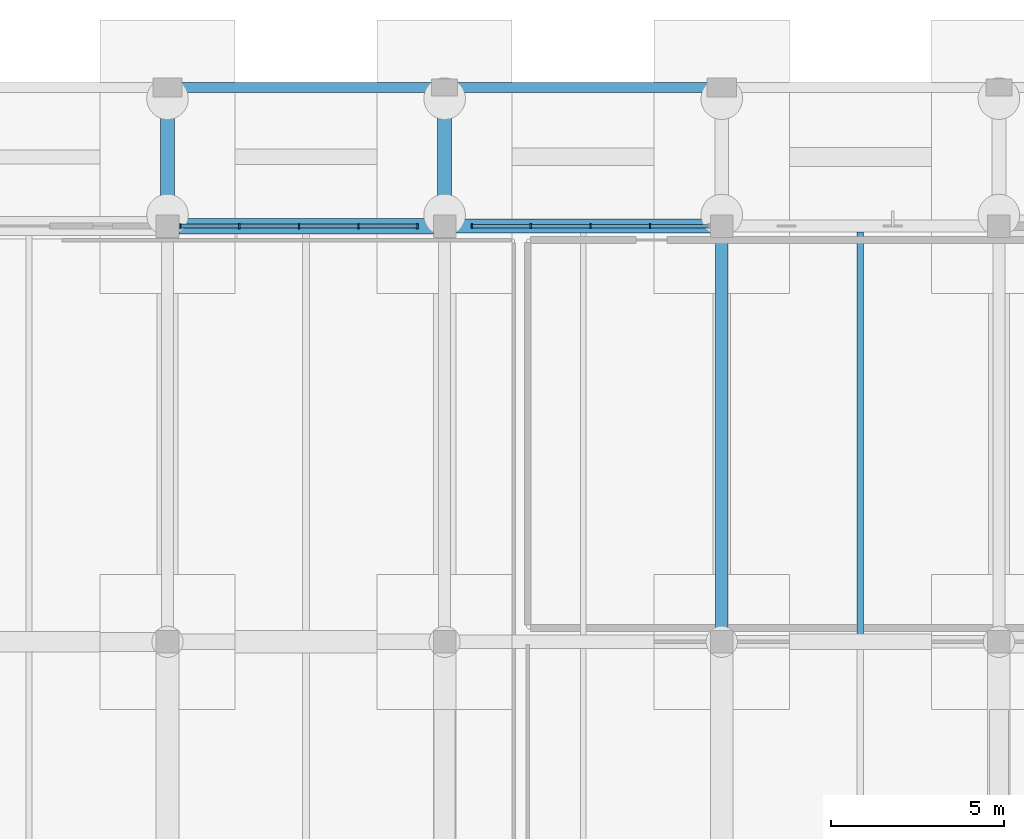
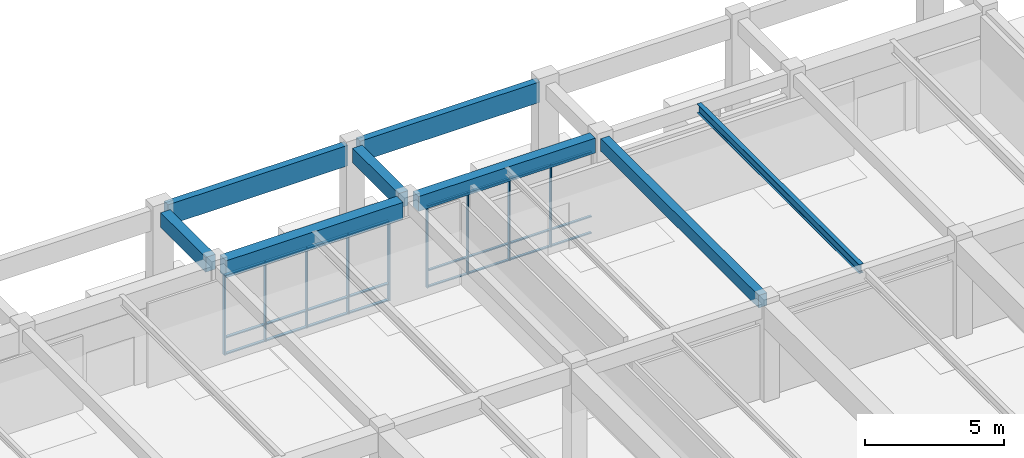
# One storey, part 33 of 84: 33 members, 8 beams, 2 elements without a shape of their own.
"""IFC4 building model written with IfcOpenShell, lengths in metres."""

from ifc_helpers import new_model, si_unit, direction, frame, origin, origin_2d, place, context, subcontext, project, spatial, rectangle, i_section, extrude, material, material_profile, profile_set, type_object, element, aggregate, save


model = new_model("IFC4")

# Units and contexts
model_context = context("Model", 3, precision=1e-05, world=origin(), true_north=direction((0.0, 1.0)))
body_context = subcontext(model_context, "Body", "Model", "MODEL_VIEW")
ifc_project = project(units=[si_unit("LENGTHUNIT", "METRE"), si_unit("AREAUNIT", "SQUARE_METRE"), si_unit("VOLUMEUNIT", "CUBIC_METRE"), si_unit("PLANEANGLEUNIT", "RADIAN"), si_unit("MASSUNIT", "GRAM", prefix="KILO")], contexts=[model_context])

# Site, building, storey
site_placement = place(None, origin())
site = spatial("IfcSite", under=ifc_project, at=site_placement, CompositionType="ELEMENT")
building_placement = place(site_placement, origin())
building = spatial("IfcBuilding", under=site, at=building_placement, Name="Larkveld Mobility Hub", CompositionType="ELEMENT")
storey_placement = place(building_placement, origin())
storey = spatial("IfcBuildingStorey", under=building, at=storey_placement, Name="L00", CompositionType="ELEMENT", Elevation=0.0)

# Beams
ifc_material_1 = material(Name="Concrete C40/50", Category="concrete")
ifc_material_profile_1 = material_profile(ifc_material_1, rectangle(XDim=0.35009765625, YDim=0.550048828125, at=origin_2d()), Name="RC BM 350x550")
ifc_profile_set_1 = profile_set([ifc_material_profile_1], Name="Concrete C40/50")
beam_type_1 = type_object("IfcBeamType", Name="BM-RC3555", PredefinedType="BEAM", material=ifc_profile_set_1)
beam_1_placement = place(storey_placement, frame((80.0, 110.324951171875, 3.985107421875), z_axis=(0.0, 1.0, 0.0), x_axis=(-1.0, 0.0, 0.0)))
element("IfcBeam", 1, at=beam_1_placement, inside=storey, type_object=beam_type_1, Name="Primary N-S Girder L00-0145", PredefinedType="BEAM", context=body_context, shape_type="SweptSolid", body=[
    extrude(rectangle(XDim=0.35009765625, YDim=0.550048828125, at=origin_2d()), origin(), (0.0, 0.0, 1.0), 11.35009765625),
])
ifc_material_profile_2 = material_profile(ifc_material_1, rectangle(XDim=0.39990234375, YDim=0.64990234375, at=origin_2d()), Name="RC BM 400x650")
ifc_profile_set_2 = profile_set([ifc_material_profile_2], Name="Concrete C40/50")
beam_type_2 = type_object("IfcBeamType", Name="BM-RC4065", PredefinedType="BEAM", material=ifc_profile_set_2)
beam_2_placement = place(storey_placement, frame((72.324951171875, 122.0, 3.93505859375), z_axis=(1.0, 0.0, 0.0), x_axis=(0.0, 1.0, 0.0)))
element("IfcBeam", 2, at=beam_2_placement, inside=storey, type_object=beam_type_2, Name="Primary E-W Girder L00-0093", PredefinedType="BEAM", context=body_context, shape_type="SweptSolid", body=[
    extrude(rectangle(XDim=0.39990234375, YDim=0.64990234375, at=origin_2d()), origin(), (0.0, 0.0, 1.0), 7.35009765625),
])
beam_3_placement = place(storey_placement, frame((64.0, 122.324951171875, 3.93505859375), z_axis=(0.0, 1.0, 0.0), x_axis=(-1.0, 0.0, 0.0)))
element("IfcBeam", 3, at=beam_3_placement, inside=storey, type_object=beam_type_2, Name="Primary N-S Girder L00-0140", PredefinedType="BEAM", context=body_context, shape_type="SweptSolid", body=[
    extrude(rectangle(XDim=0.39990234375, YDim=0.64990234375, at=origin_2d()), origin(), (0.0, 0.0, 1.0), 3.25),
])
beam_4_placement = place(storey_placement, frame((72.0, 122.324951171875, 3.93505859375), z_axis=(0.0, 1.0, 0.0), x_axis=(-1.0, 0.0, 0.0)))
element("IfcBeam", 4, at=beam_4_placement, inside=storey, type_object=beam_type_2, Name="Primary N-S Girder L00-0143", PredefinedType="BEAM", context=body_context, shape_type="SweptSolid", body=[
    extrude(rectangle(XDim=0.39990234375, YDim=0.64990234375, at=origin_2d()), origin(), (0.0, 0.0, 1.0), 3.300048828125),
])
ifc_material_profile_3 = material_profile(ifc_material_1, rectangle(XDim=0.449951171875, YDim=0.75, at=origin_2d()), Name="RC BM 450x750")
ifc_profile_set_3 = profile_set([ifc_material_profile_3], Name="Concrete C40/50")
beam_type_3 = type_object("IfcBeamType", Name="BM-RC4575", PredefinedType="BEAM", material=ifc_profile_set_3)
beam_5_placement = place(storey_placement, frame((64.324951171875, 122.0, 3.885009765625), z_axis=(1.0, 0.0, 0.0), x_axis=(0.0, 1.0, 0.0)))
element("IfcBeam", 5, at=beam_5_placement, inside=storey, type_object=beam_type_3, Name="Primary E-W Girder L00-0092", PredefinedType="BEAM", context=body_context, shape_type="SweptSolid", body=[
    extrude(rectangle(XDim=0.449951171875, YDim=0.75, at=origin_2d()), origin(), (0.0, 0.0, 1.0), 7.35009765625),
])
ifc_material_2 = material(Name="Precast concrete C50/60", Category="concrete")
ifc_material_profile_4 = material_profile(ifc_material_2, rectangle(XDim=0.280029296875, YDim=0.89990234375, at=origin_2d()), Name="PC SP 280x900")
ifc_profile_set_4 = profile_set([ifc_material_profile_4], Name="Precast concrete C50/60")
beam_type_4 = type_object("IfcBeamType", Name="BM-SP2890", PredefinedType="SPANDREL", material=ifc_profile_set_4)
for number, where, z_axis, x_axis, name in (
    (6, (64.27490234375, 126.0, 3.81005859375), (1.0, 0.0, 0.0), (0.0, 1.0, 0.0), "Primary E-W Girder L00-0104"),
    (7, (72.25, 126.0, 3.81005859375), (1.0, 0.0, 0.0), (0.0, 1.0, 0.0), "Primary E-W Girder L00-0105"),
):
    element("IfcBeam", number, at=place(storey_placement, frame(where, z_axis=z_axis, x_axis=x_axis)), inside=storey, type_object=beam_type_4, Name=name, PredefinedType="SPANDREL", context=body_context, shape_type="SweptSolid", body=[
        extrude(rectangle(XDim=0.280029296875, YDim=0.89990234375, at=origin_2d()), origin(), (0.0, 0.0, 1.0), 7.47509765625),
    ])
ifc_material_3 = material(Name="Steel S355JR", Category="steel")
ifc_material_profile_5 = material_profile(ifc_material_3, i_section(OverallWidth=0.179931640625, OverallDepth=0.39990234375, WebThickness=0.008544921875, FlangeThickness=0.013427734375, FilletRadius=0.02099609375, at=origin_2d()), Name="IPE 400")
ifc_profile_set_5 = profile_set([ifc_material_profile_5], Name="Steel S355JR")
beam_type_5 = type_object("IfcBeamType", Name="BM-STIPE400", PredefinedType="BEAM", material=ifc_profile_set_5)
beam_6_placement = place(storey_placement, frame((84.0, 110.169921875, 4.070068359375), z_axis=(0.0, 1.0, 0.0), x_axis=(-1.0, 0.0, 0.0)))
element("IfcBeam", 8, at=beam_6_placement, inside=storey, type_object=beam_type_5, Name="Bicycle Hall Secondary Beam L00-1179", PredefinedType="BEAM", context=body_context, shape_type="SweptSolid", body=[
    extrude(i_section(OverallWidth=0.179931640625, OverallDepth=0.39990234375, WebThickness=0.008544921875, FlangeThickness=0.013427734375, FilletRadius=0.02099609375, at=origin_2d()), origin(), (0.0, 0.0, 1.0), 11.66015625),
])

# Curtain wall, members
ifc_material_4 = material(Name="Anodised aluminium 6063-T6", Category="aluminium")
curtain_wall_type_1 = type_object("IfcCurtainWallType", Name="CW-SYS-01", PredefinedType="NOTDEFINED", material=ifc_material_4)
curtain_wall_1_placement = place(storey_placement, origin())
curtain_wall_1 = element("IfcCurtainWall", 9, at=curtain_wall_1_placement, inside=storey, type_object=curtain_wall_type_1, Name="Bicycle Hall North Curtain Wall L00 CW-073", PredefinedType="NOTDEFINED")
ifc_material_profile_6 = material_profile(ifc_material_4, rectangle(XDim=0.050048828125, YDim=0.14990234375, at=origin_2d()), Name="ALU MULL 50x150")
ifc_profile_set_6 = profile_set([ifc_material_profile_6], Name="Anodised aluminium 6063-T6")
member_type_1 = type_object("IfcMemberType", Name="CW-MUL-01", PredefinedType="MULLION", material=ifc_profile_set_6)
member_1_placement = place(storey_placement, frame((71.2099609375, 122.0, -0.001953125), z_axis=(0.0, 0.0, 1.0), x_axis=(-1.0, 0.0, 0.0)))
member_1 = element("IfcMember", 10, at=member_1_placement, type_object=member_type_1, Name="CW01 mullion 1", PredefinedType="MULLION", context=body_context, shape_type="SweptSolid", body=[
    extrude(rectangle(XDim=0.050048828125, YDim=0.14990234375, at=origin_2d()), origin(), (0.0, 0.0, 1.0), 3.511962890625),
])
member_2_placement = place(storey_placement, frame((69.513916015625, 122.0, -0.001953125), z_axis=(0.0, 0.0, 1.0), x_axis=(-1.0, 0.0, 0.0)))
member_2 = element("IfcMember", 11, at=member_2_placement, type_object=member_type_1, Name="CW01 mullion 2", PredefinedType="MULLION", context=body_context, shape_type="SweptSolid", body=[
    extrude(rectangle(XDim=0.050048828125, YDim=0.14990234375, at=origin_2d()), origin(), (0.0, 0.0, 1.0), 3.511962890625),
])
member_3_placement = place(storey_placement, frame((67.79296875, 122.0, -0.001953125), z_axis=(0.0, 0.0, 1.0), x_axis=(-1.0, 0.0, 0.0)))
member_3 = element("IfcMember", 12, at=member_3_placement, type_object=member_type_1, Name="CW01 mullion 3", PredefinedType="MULLION", context=body_context, shape_type="SweptSolid", body=[
    extrude(rectangle(XDim=0.050048828125, YDim=0.14990234375, at=origin_2d()), origin(), (0.0, 0.0, 1.0), 3.511962890625),
])
member_4_placement = place(storey_placement, frame((66.071044921875, 122.0, -0.001953125), z_axis=(0.0, 0.0, 1.0), x_axis=(-1.0, 0.0, 0.0)))
member_4 = element("IfcMember", 13, at=member_4_placement, type_object=member_type_1, Name="CW01 mullion 4", PredefinedType="MULLION", context=body_context, shape_type="SweptSolid", body=[
    extrude(rectangle(XDim=0.050048828125, YDim=0.14990234375, at=origin_2d()), origin(), (0.0, 0.0, 1.0), 3.511962890625),
])
member_5_placement = place(storey_placement, frame((64.375, 122.0, -0.001953125), z_axis=(0.0, 0.0, 1.0), x_axis=(-1.0, 0.0, 0.0)))
member_5 = element("IfcMember", 14, at=member_5_placement, type_object=member_type_1, Name="CW01 mullion 5", PredefinedType="MULLION", context=body_context, shape_type="SweptSolid", body=[
    extrude(rectangle(XDim=0.050048828125, YDim=0.14990234375, at=origin_2d()), origin(), (0.0, 0.0, 1.0), 3.511962890625),
])

curtain_wall_type_2 = type_object("IfcCurtainWallType", Name="CW-SYS-12", PredefinedType="NOTDEFINED", material=ifc_material_4)
curtain_wall_2_placement = place(storey_placement, origin())
curtain_wall_2 = element("IfcCurtainWall", 15, at=curtain_wall_2_placement, inside=storey, type_object=curtain_wall_type_2, Name="Bicycle Hall North Curtain Wall L00 CW-072", PredefinedType="NOTDEFINED")
ifc_material_profile_7 = material_profile(ifc_material_4, rectangle(XDim=0.050048828125, YDim=0.1298828125, at=origin_2d()), Name="ALU MULL 50x130")
ifc_profile_set_7 = profile_set([ifc_material_profile_7], Name="Anodised aluminium 6063-T6")
member_type_2 = type_object("IfcMemberType", Name="CW-MUL-04", PredefinedType="MULLION", material=ifc_profile_set_7)
member_6_placement = place(storey_placement, frame((77.928955078125, 122.0, -0.001953125), z_axis=(0.0, 0.0, 1.0), x_axis=(-1.0, 0.0, 0.0)))
member_6 = element("IfcMember", 16, at=member_6_placement, type_object=member_type_2, Name="CW12 mullion 2", PredefinedType="MULLION", context=body_context, shape_type="SweptSolid", body=[
    extrude(rectangle(XDim=0.050048828125, YDim=0.1298828125, at=origin_2d()), origin(), (0.0, 0.0, 1.0), 3.612060546875),
])
member_7_placement = place(storey_placement, frame((76.2080078125, 122.0, -0.001953125), z_axis=(0.0, 0.0, 1.0), x_axis=(-1.0, 0.0, 0.0)))
member_7 = element("IfcMember", 17, at=member_7_placement, type_object=member_type_2, Name="CW12 mullion 3", PredefinedType="MULLION", context=body_context, shape_type="SweptSolid", body=[
    extrude(rectangle(XDim=0.050048828125, YDim=0.1298828125, at=origin_2d()), origin(), (0.0, 0.0, 1.0), 3.612060546875),
])
member_8_placement = place(storey_placement, frame((74.486083984375, 122.0, -0.001953125), z_axis=(0.0, 0.0, 1.0), x_axis=(-1.0, 0.0, 0.0)))
member_8 = element("IfcMember", 18, at=member_8_placement, type_object=member_type_2, Name="CW12 mullion 4", PredefinedType="MULLION", context=body_context, shape_type="SweptSolid", body=[
    extrude(rectangle(XDim=0.050048828125, YDim=0.1298828125, at=origin_2d()), origin(), (0.0, 0.0, 1.0), 3.612060546875),
])
member_9_placement = place(storey_placement, frame((72.7900390625, 122.0, -0.001953125), z_axis=(0.0, 0.0, 1.0), x_axis=(-1.0, 0.0, 0.0)))
member_9 = element("IfcMember", 19, at=member_9_placement, type_object=member_type_2, Name="CW12 mullion 5", PredefinedType="MULLION", context=body_context, shape_type="SweptSolid", body=[
    extrude(rectangle(XDim=0.050048828125, YDim=0.1298828125, at=origin_2d()), origin(), (0.0, 0.0, 1.0), 3.612060546875),
])

# Member
ifc_material_profile_8 = material_profile(ifc_material_4, rectangle(XDim=0.1201171875, YDim=0.050048828125, at=origin_2d()), Name="ALU TRAN 50x120")
ifc_profile_set_8 = profile_set([ifc_material_profile_8], Name="Anodised aluminium 6063-T6")
member_type_3 = type_object("IfcMemberType", Name="CW-TRN-01", PredefinedType="USERDEFINED", material=ifc_profile_set_8)
member_10_placement = place(storey_placement, frame((71.199951171875, 122.0, 0.030029296875), z_axis=(-1.0, 0.0, 0.0), x_axis=(0.0, -1.0, 0.0)))
member_10 = element("IfcMember", 20, at=member_10_placement, type_object=member_type_3, Name="CW01 transom 1.1", ObjectType="TRANSOM", PredefinedType="USERDEFINED", context=body_context, shape_type="SweptSolid", body=[
    extrude(rectangle(XDim=0.1201171875, YDim=0.050048828125, at=origin_2d()), origin(), (0.0, 0.0, 1.0), 1.6708984375),
])

member_11_placement = place(storey_placement, frame((71.199951171875, 122.0, 0.75), z_axis=(-1.0, 0.0, 0.0), x_axis=(0.0, -1.0, 0.0)))
member_11 = element("IfcMember", 21, at=member_11_placement, type_object=member_type_3, Name="CW01 transom 1.2", ObjectType="TRANSOM", PredefinedType="USERDEFINED", context=body_context, shape_type="SweptSolid", body=[
    extrude(rectangle(XDim=0.1201171875, YDim=0.050048828125, at=origin_2d()), origin(), (0.0, 0.0, 1.0), 1.6708984375),
])

member_12_placement = place(storey_placement, frame((71.199951171875, 122.0, 3.47802734375), z_axis=(-1.0, 0.0, 0.0), x_axis=(0.0, -1.0, 0.0)))
member_12 = element("IfcMember", 22, at=member_12_placement, type_object=member_type_3, Name="CW01 transom 1.3", ObjectType="TRANSOM", PredefinedType="USERDEFINED", context=body_context, shape_type="SweptSolid", body=[
    extrude(rectangle(XDim=0.1201171875, YDim=0.050048828125, at=origin_2d()), origin(), (0.0, 0.0, 1.0), 1.6708984375),
])

member_13_placement = place(storey_placement, frame((69.4990234375, 122.0, 0.030029296875), z_axis=(-1.0, 0.0, 0.0), x_axis=(0.0, -1.0, 0.0)))
member_13 = element("IfcMember", 23, at=member_13_placement, type_object=member_type_3, Name="CW01 transom 2.1", ObjectType="TRANSOM", PredefinedType="USERDEFINED", context=body_context, shape_type="SweptSolid", body=[
    extrude(rectangle(XDim=0.1201171875, YDim=0.050048828125, at=origin_2d()), origin(), (0.0, 0.0, 1.0), 1.69091796875),
])

member_14_placement = place(storey_placement, frame((69.4990234375, 122.0, 0.75), z_axis=(-1.0, 0.0, 0.0), x_axis=(0.0, -1.0, 0.0)))
member_14 = element("IfcMember", 24, at=member_14_placement, type_object=member_type_3, Name="CW01 transom 2.2", ObjectType="TRANSOM", PredefinedType="USERDEFINED", context=body_context, shape_type="SweptSolid", body=[
    extrude(rectangle(XDim=0.1201171875, YDim=0.050048828125, at=origin_2d()), origin(), (0.0, 0.0, 1.0), 1.69091796875),
])

member_15_placement = place(storey_placement, frame((69.4990234375, 122.0, 3.47802734375), z_axis=(-1.0, 0.0, 0.0), x_axis=(0.0, -1.0, 0.0)))
member_15 = element("IfcMember", 25, at=member_15_placement, type_object=member_type_3, Name="CW01 transom 2.3", ObjectType="TRANSOM", PredefinedType="USERDEFINED", context=body_context, shape_type="SweptSolid", body=[
    extrude(rectangle(XDim=0.1201171875, YDim=0.050048828125, at=origin_2d()), origin(), (0.0, 0.0, 1.0), 1.69091796875),
])

member_16_placement = place(storey_placement, frame((67.778076171875, 122.0, 0.030029296875), z_axis=(-1.0, 0.0, 0.0), x_axis=(0.0, -1.0, 0.0)))
member_16 = element("IfcMember", 26, at=member_16_placement, type_object=member_type_3, Name="CW01 transom 3.1", ObjectType="TRANSOM", PredefinedType="USERDEFINED", context=body_context, shape_type="SweptSolid", body=[
    extrude(rectangle(XDim=0.1201171875, YDim=0.050048828125, at=origin_2d()), origin(), (0.0, 0.0, 1.0), 1.692138671875),
])

member_17_placement = place(storey_placement, frame((67.778076171875, 122.0, 0.75), z_axis=(-1.0, 0.0, 0.0), x_axis=(0.0, -1.0, 0.0)))
member_17 = element("IfcMember", 27, at=member_17_placement, type_object=member_type_3, Name="CW01 transom 3.2", ObjectType="TRANSOM", PredefinedType="USERDEFINED", context=body_context, shape_type="SweptSolid", body=[
    extrude(rectangle(XDim=0.1201171875, YDim=0.050048828125, at=origin_2d()), origin(), (0.0, 0.0, 1.0), 1.692138671875),
])

member_18_placement = place(storey_placement, frame((67.778076171875, 122.0, 3.47802734375), z_axis=(-1.0, 0.0, 0.0), x_axis=(0.0, -1.0, 0.0)))
member_18 = element("IfcMember", 28, at=member_18_placement, type_object=member_type_3, Name="CW01 transom 3.3", ObjectType="TRANSOM", PredefinedType="USERDEFINED", context=body_context, shape_type="SweptSolid", body=[
    extrude(rectangle(XDim=0.1201171875, YDim=0.050048828125, at=origin_2d()), origin(), (0.0, 0.0, 1.0), 1.692138671875),
])

member_19_placement = place(storey_placement, frame((66.055908203125, 122.0, 0.030029296875), z_axis=(-1.0, 0.0, 0.0), x_axis=(0.0, -1.0, 0.0)))
member_19 = element("IfcMember", 29, at=member_19_placement, type_object=member_type_3, Name="CW01 transom 4.1", ObjectType="TRANSOM", PredefinedType="USERDEFINED", context=body_context, shape_type="SweptSolid", body=[
    extrude(rectangle(XDim=0.1201171875, YDim=0.050048828125, at=origin_2d()), origin(), (0.0, 0.0, 1.0), 1.6708984375),
])

member_20_placement = place(storey_placement, frame((66.055908203125, 122.0, 0.75), z_axis=(-1.0, 0.0, 0.0), x_axis=(0.0, -1.0, 0.0)))
member_20 = element("IfcMember", 30, at=member_20_placement, type_object=member_type_3, Name="CW01 transom 4.2", ObjectType="TRANSOM", PredefinedType="USERDEFINED", context=body_context, shape_type="SweptSolid", body=[
    extrude(rectangle(XDim=0.1201171875, YDim=0.050048828125, at=origin_2d()), origin(), (0.0, 0.0, 1.0), 1.6708984375),
])

member_21_placement = place(storey_placement, frame((66.055908203125, 122.0, 3.47802734375), z_axis=(-1.0, 0.0, 0.0), x_axis=(0.0, -1.0, 0.0)))
member_21 = element("IfcMember", 31, at=member_21_placement, type_object=member_type_3, Name="CW01 transom 4.3", ObjectType="TRANSOM", PredefinedType="USERDEFINED", context=body_context, shape_type="SweptSolid", body=[
    extrude(rectangle(XDim=0.1201171875, YDim=0.050048828125, at=origin_2d()), origin(), (0.0, 0.0, 1.0), 1.6708984375),
])

aggregate(curtain_wall_1, [member_1, member_2, member_3, member_4, member_5, member_10, member_11, member_12, member_13, member_14, member_15, member_16, member_17, member_18, member_19, member_20, member_21])

ifc_material_profile_9 = material_profile(ifc_material_4, rectangle(XDim=0.10009765625, YDim=0.050048828125, at=origin_2d()), Name="ALU TRAN 50x100")
ifc_profile_set_9 = profile_set([ifc_material_profile_9], Name="Anodised aluminium 6063-T6")
member_type_4 = type_object("IfcMemberType", Name="CW-TRN-04", PredefinedType="USERDEFINED", material=ifc_profile_set_9)
member_22_placement = place(storey_placement, frame((79.614990234375, 122.0, 0.030029296875), z_axis=(-1.0, 0.0, 0.0), x_axis=(0.0, -1.0, 0.0)))
member_22 = element("IfcMember", 32, at=member_22_placement, type_object=member_type_4, Name="CW12 transom 1.1", ObjectType="TRANSOM", PredefinedType="USERDEFINED", context=body_context, shape_type="SweptSolid", body=[
    extrude(rectangle(XDim=0.10009765625, YDim=0.050048828125, at=origin_2d()), origin(), (0.0, 0.0, 1.0), 1.6708984375),
])

member_23_placement = place(storey_placement, frame((79.614990234375, 122.0, 0.75), z_axis=(-1.0, 0.0, 0.0), x_axis=(0.0, -1.0, 0.0)))
member_23 = element("IfcMember", 33, at=member_23_placement, type_object=member_type_4, Name="CW12 transom 1.2", ObjectType="TRANSOM", PredefinedType="USERDEFINED", context=body_context, shape_type="SweptSolid", body=[
    extrude(rectangle(XDim=0.10009765625, YDim=0.050048828125, at=origin_2d()), origin(), (0.0, 0.0, 1.0), 1.6708984375),
])

member_24_placement = place(storey_placement, frame((79.614990234375, 122.0, 3.577880859375), z_axis=(-1.0, 0.0, 0.0), x_axis=(0.0, -1.0, 0.0)))
member_24 = element("IfcMember", 34, at=member_24_placement, type_object=member_type_4, Name="CW12 transom 1.3", ObjectType="TRANSOM", PredefinedType="USERDEFINED", context=body_context, shape_type="SweptSolid", body=[
    extrude(rectangle(XDim=0.10009765625, YDim=0.050048828125, at=origin_2d()), origin(), (0.0, 0.0, 1.0), 1.6708984375),
])

member_25_placement = place(storey_placement, frame((77.9140625, 122.0, 0.030029296875), z_axis=(-1.0, 0.0, 0.0), x_axis=(0.0, -1.0, 0.0)))
member_25 = element("IfcMember", 35, at=member_25_placement, type_object=member_type_4, Name="CW12 transom 2.1", ObjectType="TRANSOM", PredefinedType="USERDEFINED", context=body_context, shape_type="SweptSolid", body=[
    extrude(rectangle(XDim=0.10009765625, YDim=0.050048828125, at=origin_2d()), origin(), (0.0, 0.0, 1.0), 1.691162109375),
])

member_26_placement = place(storey_placement, frame((77.9140625, 122.0, 0.75), z_axis=(-1.0, 0.0, 0.0), x_axis=(0.0, -1.0, 0.0)))
member_26 = element("IfcMember", 36, at=member_26_placement, type_object=member_type_4, Name="CW12 transom 2.2", ObjectType="TRANSOM", PredefinedType="USERDEFINED", context=body_context, shape_type="SweptSolid", body=[
    extrude(rectangle(XDim=0.10009765625, YDim=0.050048828125, at=origin_2d()), origin(), (0.0, 0.0, 1.0), 1.691162109375),
])

member_27_placement = place(storey_placement, frame((77.9140625, 122.0, 3.577880859375), z_axis=(-1.0, 0.0, 0.0), x_axis=(0.0, -1.0, 0.0)))
member_27 = element("IfcMember", 37, at=member_27_placement, type_object=member_type_4, Name="CW12 transom 2.3", ObjectType="TRANSOM", PredefinedType="USERDEFINED", context=body_context, shape_type="SweptSolid", body=[
    extrude(rectangle(XDim=0.10009765625, YDim=0.050048828125, at=origin_2d()), origin(), (0.0, 0.0, 1.0), 1.691162109375),
])

member_28_placement = place(storey_placement, frame((76.193115234375, 122.0, 0.030029296875), z_axis=(-1.0, 0.0, 0.0), x_axis=(0.0, -1.0, 0.0)))
member_28 = element("IfcMember", 38, at=member_28_placement, type_object=member_type_4, Name="CW12 transom 3.1", ObjectType="TRANSOM", PredefinedType="USERDEFINED", context=body_context, shape_type="SweptSolid", body=[
    extrude(rectangle(XDim=0.10009765625, YDim=0.050048828125, at=origin_2d()), origin(), (0.0, 0.0, 1.0), 1.692138671875),
])

member_29_placement = place(storey_placement, frame((76.193115234375, 122.0, 0.75), z_axis=(-1.0, 0.0, 0.0), x_axis=(0.0, -1.0, 0.0)))
member_29 = element("IfcMember", 39, at=member_29_placement, type_object=member_type_4, Name="CW12 transom 3.2", ObjectType="TRANSOM", PredefinedType="USERDEFINED", context=body_context, shape_type="SweptSolid", body=[
    extrude(rectangle(XDim=0.10009765625, YDim=0.050048828125, at=origin_2d()), origin(), (0.0, 0.0, 1.0), 1.692138671875),
])

member_30_placement = place(storey_placement, frame((76.193115234375, 122.0, 3.577880859375), z_axis=(-1.0, 0.0, 0.0), x_axis=(0.0, -1.0, 0.0)))
member_30 = element("IfcMember", 40, at=member_30_placement, type_object=member_type_4, Name="CW12 transom 3.3", ObjectType="TRANSOM", PredefinedType="USERDEFINED", context=body_context, shape_type="SweptSolid", body=[
    extrude(rectangle(XDim=0.10009765625, YDim=0.050048828125, at=origin_2d()), origin(), (0.0, 0.0, 1.0), 1.692138671875),
])

member_31_placement = place(storey_placement, frame((74.470947265625, 122.0, 0.030029296875), z_axis=(-1.0, 0.0, 0.0), x_axis=(0.0, -1.0, 0.0)))
member_31 = element("IfcMember", 41, at=member_31_placement, type_object=member_type_4, Name="CW12 transom 4.1", ObjectType="TRANSOM", PredefinedType="USERDEFINED", context=body_context, shape_type="SweptSolid", body=[
    extrude(rectangle(XDim=0.10009765625, YDim=0.050048828125, at=origin_2d()), origin(), (0.0, 0.0, 1.0), 1.6708984375),
])

member_32_placement = place(storey_placement, frame((74.470947265625, 122.0, 0.75), z_axis=(-1.0, 0.0, 0.0), x_axis=(0.0, -1.0, 0.0)))
member_32 = element("IfcMember", 42, at=member_32_placement, type_object=member_type_4, Name="CW12 transom 4.2", ObjectType="TRANSOM", PredefinedType="USERDEFINED", context=body_context, shape_type="SweptSolid", body=[
    extrude(rectangle(XDim=0.10009765625, YDim=0.050048828125, at=origin_2d()), origin(), (0.0, 0.0, 1.0), 1.6708984375),
])

member_33_placement = place(storey_placement, frame((74.470947265625, 122.0, 3.577880859375), z_axis=(-1.0, 0.0, 0.0), x_axis=(0.0, -1.0, 0.0)))
member_33 = element("IfcMember", 43, at=member_33_placement, type_object=member_type_4, Name="CW12 transom 4.3", ObjectType="TRANSOM", PredefinedType="USERDEFINED", context=body_context, shape_type="SweptSolid", body=[
    extrude(rectangle(XDim=0.10009765625, YDim=0.050048828125, at=origin_2d()), origin(), (0.0, 0.0, 1.0), 1.6708984375),
])

aggregate(curtain_wall_2, [member_6, member_7, member_8, member_9, member_22, member_23, member_24, member_25, member_26, member_27, member_28, member_29, member_30, member_31, member_32, member_33])

save(model, "model.ifc")
